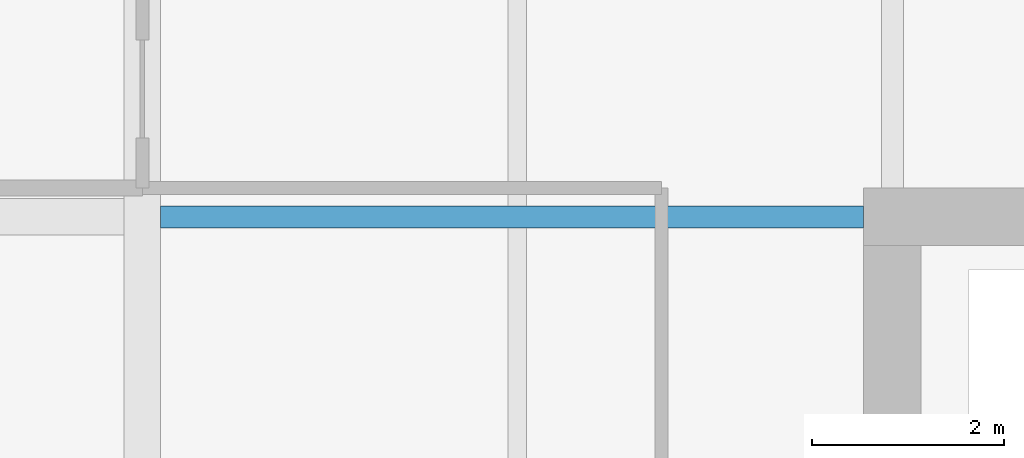
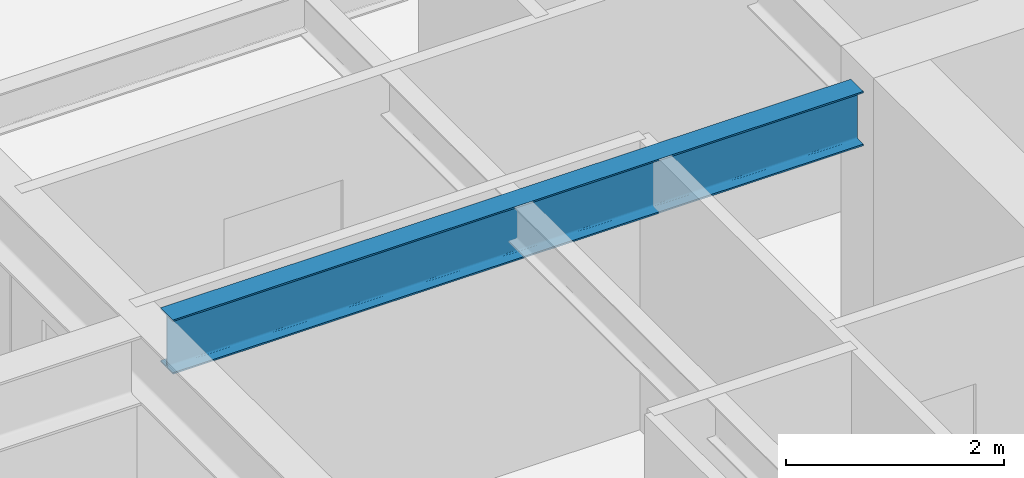
# One storey, part 17 of 34: 1 beam.
"""IFC4 building model written with IfcOpenShell, lengths in metres."""

from ifc_helpers import new_model, si_unit, direction, frame, origin, origin_2d, place, context, subcontext, project, spatial, i_section, extrude, material, material_profile, profile_set, type_object, element, save


model = new_model("IFC4")

# Units and contexts
model_context = context("Model", 3, precision=1e-05, world=origin(), true_north=direction((0.0, 1.0)))
body_context = subcontext(model_context, "Body", "Model", "MODEL_VIEW")
ifc_project = project(units=[si_unit("LENGTHUNIT", "METRE"), si_unit("AREAUNIT", "SQUARE_METRE"), si_unit("VOLUMEUNIT", "CUBIC_METRE"), si_unit("PLANEANGLEUNIT", "RADIAN"), si_unit("MASSUNIT", "GRAM", prefix="KILO")], contexts=[model_context])

# Site, building, storey
site_placement = place(None, origin())
site = spatial("IfcSite", under=ifc_project, at=site_placement, CompositionType="ELEMENT")
building_placement = place(site_placement, origin())
building = spatial("IfcBuilding", under=site, at=building_placement, Name="Drelvath Grand Hotel", CompositionType="ELEMENT")
storey_placement = place(building_placement, frame((0.0, 0.0, 102.300048828125)))
storey = spatial("IfcBuildingStorey", under=building, at=storey_placement, Name="L25", CompositionType="ELEMENT", Elevation=102.300048828125)

# Beam
ifc_material = material(Name="Steel ASTM A992 Gr 50", Category="steel")
ifc_material_profile = material_profile(ifc_material, i_section(OverallWidth=0.228271484375, OverallDepth=0.607666015625, WebThickness=0.01123046875, FlangeThickness=0.017333984375, FilletRadius=0.02001953125, at=origin_2d()), Name="W24X76")
ifc_profile_set = profile_set([ifc_material_profile], Name="Steel ASTM A992 Gr 50")
beam_type = type_object("IfcBeamType", Name="Primary Floor Girder W24X76", PredefinedType="BEAM", material=ifc_profile_set)
beam_placement = place(storey_placement, frame((-16.009765625, 35.39990234375, 2.93603515625), z_axis=(1.0, 0.0, 0.0), x_axis=(0.0, 1.0, 0.0)))
element("IfcBeam", 1, at=beam_placement, inside=storey, type_object=beam_type, Name="L25 West Core Tie F", PredefinedType="BEAM", context=body_context, shape_type="SweptSolid", body=[
    extrude(i_section(OverallWidth=0.228271484375, OverallDepth=0.607666015625, WebThickness=0.01123046875, FlangeThickness=0.017333984375, FilletRadius=0.02001953125, at=origin_2d()), origin(), (0.0, 0.0, 1.0), 7.309814453125),
])

save(model, "model.ifc")
